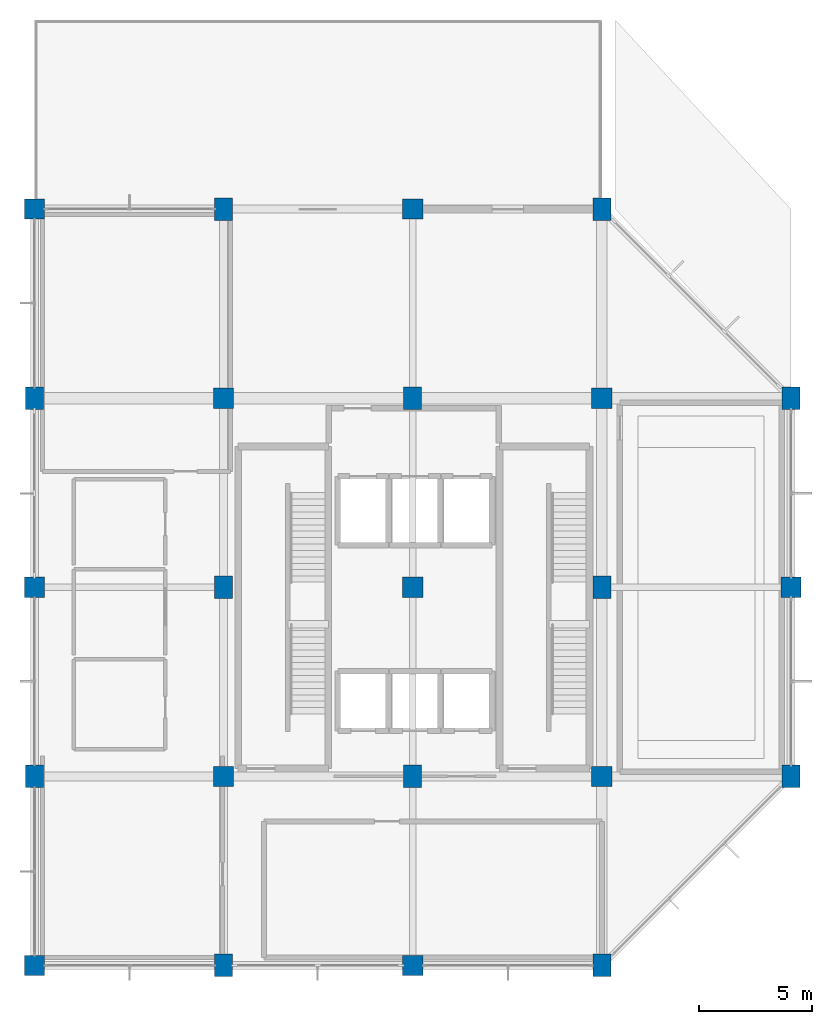
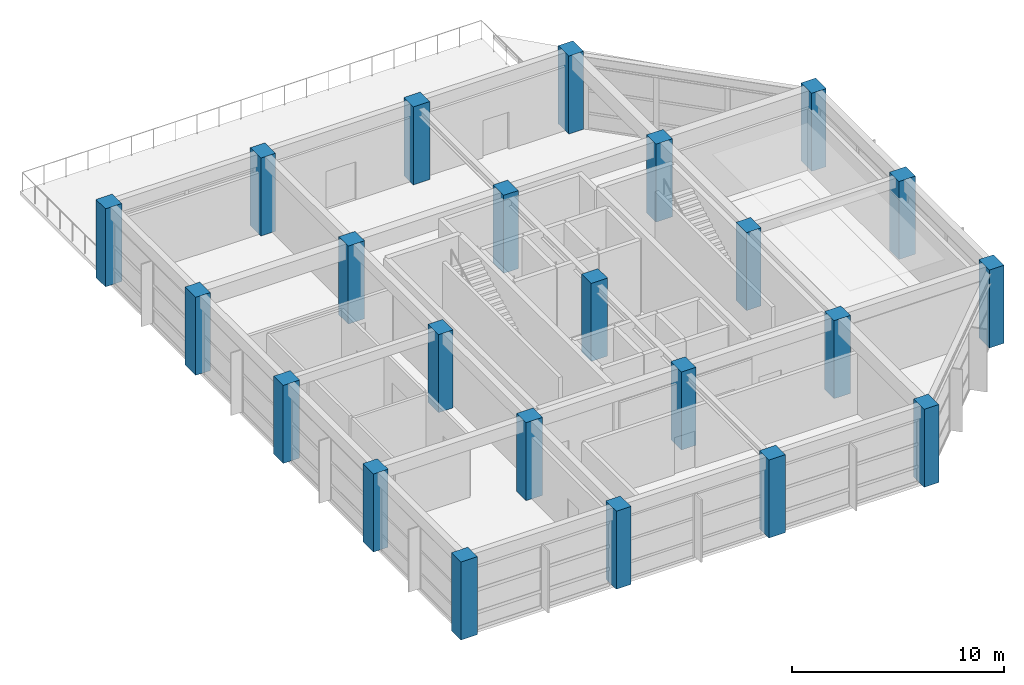
# One storey, part 1 of 10: 23 columns.
"""IFC4 building model written with IfcOpenShell, lengths in metres."""

from ifc_helpers import new_model, si_unit, direction, frame, origin, origin_2d, place, context, subcontext, project, spatial, rectangle, extrude, material, material_profile, profile_set, type_object, element, save


model = new_model("IFC4")

# Units and contexts
model_context = context("Model", 3, precision=1e-05, world=origin(), true_north=direction((0.0, 1.0)))
body_context = subcontext(model_context, "Body", "Model", "MODEL_VIEW")
ifc_project = project(units=[si_unit("LENGTHUNIT", "METRE"), si_unit("AREAUNIT", "SQUARE_METRE"), si_unit("VOLUMEUNIT", "CUBIC_METRE"), si_unit("PLANEANGLEUNIT", "RADIAN"), si_unit("MASSUNIT", "GRAM", prefix="KILO")], contexts=[model_context])

# Site, building, storey
site_placement = place(None, origin())
site = spatial("IfcSite", under=ifc_project, at=site_placement, CompositionType="ELEMENT")
building_placement = place(site_placement, origin())
building = spatial("IfcBuilding", under=site, at=building_placement, Name="Xuanlan Plaza Opera House", CompositionType="ELEMENT")
storey_placement = place(building_placement, frame((0.0, 0.0, 69.89990234375)))
storey = spatial("IfcBuildingStorey", under=building, at=storey_placement, Name="L16", CompositionType="ELEMENT", Elevation=69.89990234375)

# Columns
ifc_material = material(Name="Concrete C50", Category="concrete")
ifc_material_profile_1 = material_profile(ifc_material, rectangle(XDim=0.89990234375, YDim=0.89990234375, at=origin_2d()), Name="RC-COL 900x900")
ifc_profile_set_1 = profile_set([ifc_material_profile_1], Name="Concrete C50")
column_type_1 = type_object("IfcColumnType", Name="STR-COL-C-05", PredefinedType="COLUMN", material=ifc_profile_set_1)
for number, where, z_axis, x_axis, name in (
    (1, (126.0, 42.0, 0.0), (0.0, 0.0, 1.0), (1.0, 0.0, 0.0), "Column L16 16-F"),
    (2, (126.0, 58.800048828125, 0.0), (0.0, 0.0, 1.0), (1.0, 0.0, 0.0), "Column L16 16-H"),
    (3, (126.0, 75.60009765625, 0.0), (0.0, 0.0, 1.0), (1.0, 0.0, 0.0), "Column L16 16-J"),
    (4, (134.39990234375, 50.39990234375, 0.0), (0.0, 0.0, 1.0), (1.0, 0.0, 0.0), "Column L16 17-G"),
    (5, (134.39990234375, 67.199951171875, 0.0), (0.0, 0.0, 1.0), (1.0, 0.0, 0.0), "Column L16 17-I"),
    (6, (142.800048828125, 42.0, 0.0), (0.0, 0.0, 1.0), (1.0, 0.0, 0.0), "Column L16 18-F"),
    (7, (142.800048828125, 58.800048828125, 0.0), (0.0, 0.0, 1.0), (1.0, 0.0, 0.0), "Column L16 18-H"),
    (8, (142.800048828125, 75.60009765625, 0.0), (0.0, 0.0, 1.0), (1.0, 0.0, 0.0), "Column L16 18-J"),
    (9, (151.199951171875, 50.39990234375, 0.0), (0.0, 0.0, 1.0), (1.0, 0.0, 0.0), "Column L16 19-G"),
    (10, (151.199951171875, 67.199951171875, 0.0), (0.0, 0.0, 1.0), (1.0, 0.0, 0.0), "Column L16 19-I"),
    (11, (159.60009765625, 58.800048828125, 0.0), (0.0, 0.0, 1.0), (1.0, 0.0, 0.0), "Column L16 20-H"),
):
    element("IfcColumn", number, at=place(storey_placement, frame(where, z_axis=z_axis, x_axis=x_axis)), inside=storey, type_object=column_type_1, Name=name, PredefinedType="COLUMN", context=body_context, shape_type="SweptSolid", body=[
        extrude(rectangle(XDim=0.89990234375, YDim=0.89990234375, at=origin_2d()), origin(), (0.0, 0.0, 1.0), 4.5),
    ])
ifc_material_profile_2 = material_profile(ifc_material, rectangle(XDim=0.800048828125, YDim=1.0, at=origin_2d()), Name="RC-COL 800x1000")
ifc_profile_set_2 = profile_set([ifc_material_profile_2], Name="Concrete C50")
column_type_2 = type_object("IfcColumnType", Name="STR-COL-C-09", PredefinedType="COLUMN", material=ifc_profile_set_2)
for number, where, z_axis, x_axis, name in (
    (12, (126.0, 50.39990234375, 0.0), (0.0, 0.0, 1.0), (1.0, 0.0, 0.0), "Column L16 16-G"),
    (13, (126.0, 67.199951171875, 0.0), (0.0, 0.0, 1.0), (1.0, 0.0, 0.0), "Column L16 16-I"),
    (14, (134.39990234375, 42.0, 0.0), (0.0, 0.0, 1.0), (1.0, 0.0, 0.0), "Column L16 17-F"),
    (15, (134.39990234375, 58.800048828125, 0.0), (0.0, 0.0, 1.0), (1.0, 0.0, 0.0), "Column L16 17-H"),
    (16, (134.39990234375, 75.60009765625, 0.0), (0.0, 0.0, 1.0), (1.0, 0.0, 0.0), "Column L16 17-J"),
    (17, (142.800048828125, 50.39990234375, 0.0), (0.0, 0.0, 1.0), (1.0, 0.0, 0.0), "Column L16 18-G"),
    (18, (142.800048828125, 67.199951171875, 0.0), (0.0, 0.0, 1.0), (1.0, 0.0, 0.0), "Column L16 18-I"),
    (19, (151.199951171875, 42.0, 0.0), (0.0, 0.0, 1.0), (1.0, 0.0, 0.0), "Column L16 19-F"),
    (20, (151.199951171875, 58.800048828125, 0.0), (0.0, 0.0, 1.0), (1.0, 0.0, 0.0), "Column L16 19-H"),
    (21, (151.199951171875, 75.60009765625, 0.0), (0.0, 0.0, 1.0), (1.0, 0.0, 0.0), "Column L16 19-J"),
    (22, (159.60009765625, 50.39990234375, 0.0), (0.0, 0.0, 1.0), (1.0, 0.0, 0.0), "Column L16 20-G"),
    (23, (159.60009765625, 67.199951171875, 0.0), (0.0, 0.0, 1.0), (1.0, 0.0, 0.0), "Column L16 20-I"),
):
    element("IfcColumn", number, at=place(storey_placement, frame(where, z_axis=z_axis, x_axis=x_axis)), inside=storey, type_object=column_type_2, Name=name, PredefinedType="COLUMN", context=body_context, shape_type="SweptSolid", body=[
        extrude(rectangle(XDim=0.800048828125, YDim=1.0, at=origin_2d()), origin(), (0.0, 0.0, 1.0), 4.5),
    ])

save(model, "model.ifc")
